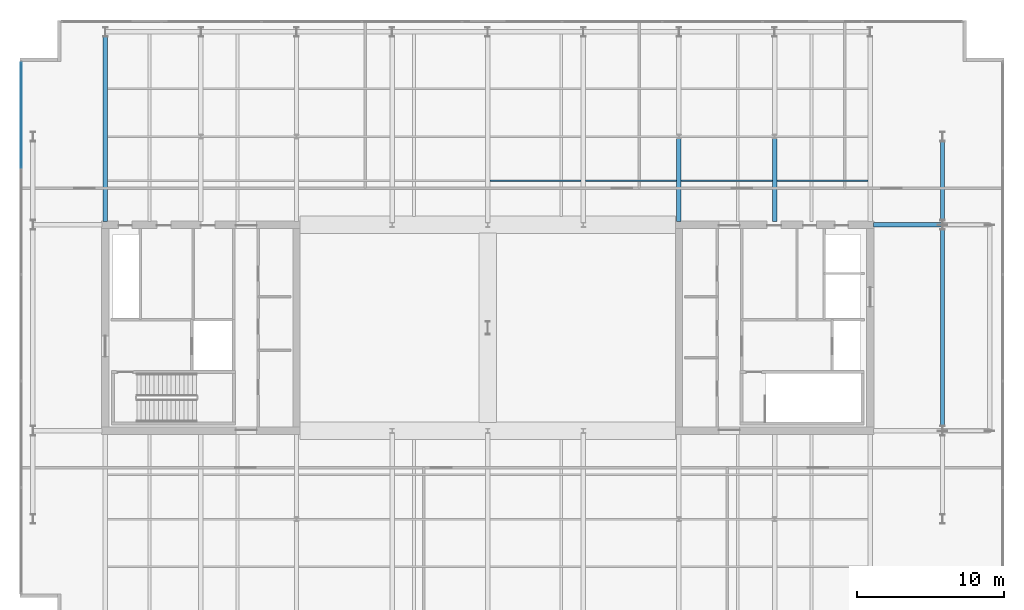
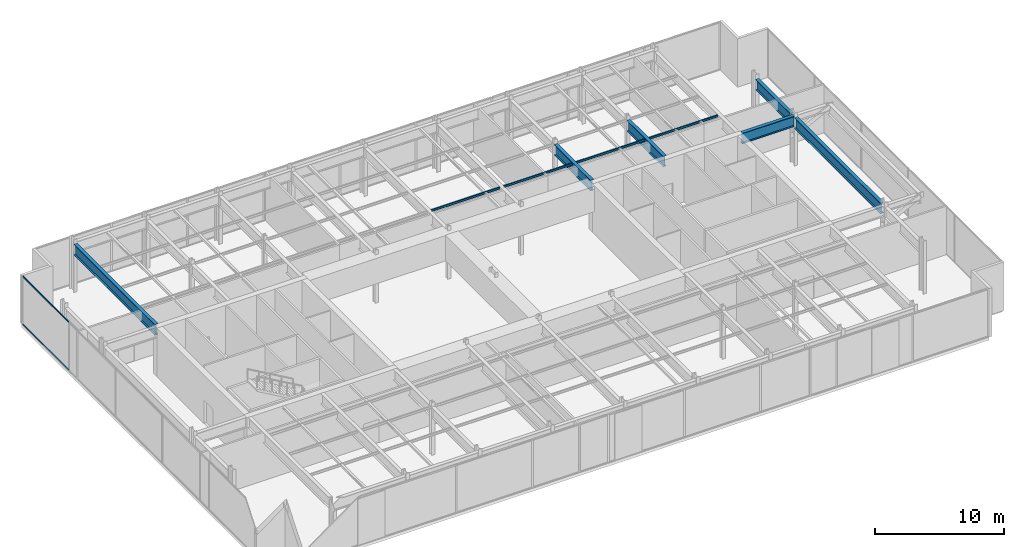
# One storey, part 10 of 21: 10 beams, 2 members, 1 element without a shape of its own.
"""IFC4 building model written with IfcOpenShell, lengths in metres."""

from ifc_helpers import new_model, si_unit, direction, frame, origin, origin_2d, place, context, subcontext, project, spatial, rectangle, i_section, extrude, material, layer, layer_set, material_profile, profile_set, type_object, element, aggregate, save


model = new_model("IFC4")

# Units and contexts
model_context = context("Model", 3, precision=1e-05, world=origin(), true_north=direction((0.0, 1.0)))
body_context = subcontext(model_context, "Body", "Model", "MODEL_VIEW")
ifc_project = project(units=[si_unit("LENGTHUNIT", "METRE"), si_unit("AREAUNIT", "SQUARE_METRE"), si_unit("VOLUMEUNIT", "CUBIC_METRE"), si_unit("PLANEANGLEUNIT", "RADIAN"), si_unit("MASSUNIT", "GRAM", prefix="KILO")], contexts=[model_context])

# Site, building, storey
site_placement = place(None, origin())
site = spatial("IfcSite", under=ifc_project, at=site_placement, CompositionType="ELEMENT")
building_placement = place(site_placement, origin())
building = spatial("IfcBuilding", under=site, at=building_placement, Name="Putna Gate Headquarters", CompositionType="ELEMENT")
storey_placement = place(building_placement, frame((0.0, 0.0, 315.39990234375)))
storey = spatial("IfcBuildingStorey", under=building, at=storey_placement, Name="L79", CompositionType="ELEMENT", Elevation=315.39990234375)

# Beams
ifc_material_1 = material(Name="Steel S355J2", Category="steel")
ifc_material_profile_1 = material_profile(ifc_material_1, i_section(OverallWidth=0.10009765625, OverallDepth=0.199951171875, WebThickness=0.005615234375, FlangeThickness=0.008544921875, at=origin_2d()), Name="Steel S355J2")
ifc_profile_set_1 = profile_set([ifc_material_profile_1], Name="Steel S355J2")
beam_type_1 = type_object("IfcBeamType", Name="BM-SEC-PLT-IPE200", PredefinedType="JOIST", material=ifc_profile_set_1)
for number, where, z_axis, x_axis, name in (
    (1, (39.155029296875, 36.0, 4.47998046875), (1.0, 0.0, 0.0), (0.0, 1.0, 0.0), "L79 North Secondary Beam 5"),
    (2, (45.655029296875, 36.0, 4.47998046875), (1.0, 0.0, 0.0), (0.0, 1.0, 0.0), "L79 North Secondary Beam 6"),
    (3, (52.155029296875, 36.0, 4.47998046875), (1.0, 0.0, 0.0), (0.0, 1.0, 0.0), "L79 North Secondary Beam 7"),
    (4, (58.655029296875, 36.0, 4.47998046875), (1.0, 0.0, 0.0), (0.0, 1.0, 0.0), "L79 North Secondary Beam 8"),
):
    element("IfcBeam", number, at=place(storey_placement, frame(where, z_axis=z_axis, x_axis=x_axis)), inside=storey, type_object=beam_type_1, Name=name, PredefinedType="JOIST", context=body_context, shape_type="SweptSolid", body=[
        extrude(i_section(OverallWidth=0.10009765625, OverallDepth=0.199951171875, WebThickness=0.005615234375, FlangeThickness=0.008544921875, at=origin_2d()), origin(), (0.0, 0.0, 1.0), 6.18994140625),
    ])
ifc_material_2 = material(Name="Steel S460M", Category="steel")
ifc_material_profile_2 = material_profile(ifc_material_2, i_section(OverallWidth=0.302001953125, OverallDepth=1.008056640625, WebThickness=0.02099609375, FlangeThickness=0.0400390625, at=origin_2d()), Name="Steel S460M")
ifc_profile_set_2 = profile_set([ifc_material_profile_2], Name="Steel S460M")
beam_type_2 = type_object("IfcBeamType", Name="BM-TG-HEM1000", PredefinedType="USERDEFINED", material=ifc_profile_set_2)
beam_1_placement = place(storey_placement, frame((65.235107421875, 33.0, 4.076171875), z_axis=(1.0, 0.0, 0.0), x_axis=(0.0, 1.0, 0.0)))
element("IfcBeam", 5, at=beam_1_placement, inside=storey, type_object=beam_type_2, Name="L79 East Wing Girder Y33", ObjectType="GIRDER", PredefinedType="USERDEFINED", context=body_context, shape_type="SweptSolid", body=[
    extrude(i_section(OverallWidth=0.302001953125, OverallDepth=1.008056640625, WebThickness=0.02099609375, FlangeThickness=0.0400390625, at=origin_2d()), origin(), (0.0, 0.0, 1.0), 4.678955078125),
])
beam_2_placement = place(storey_placement, frame((13.0, 33.235107421875, 4.076171875), z_axis=(0.0, 1.0, 0.0), x_axis=(-1.0, 0.0, 0.0)))
element("IfcBeam", 6, at=beam_2_placement, inside=storey, type_object=beam_type_2, Name="L79 North Primary Girder X13", ObjectType="GIRDER", PredefinedType="USERDEFINED", context=body_context, shape_type="SweptSolid", body=[
    extrude(i_section(OverallWidth=0.302001953125, OverallDepth=1.008056640625, WebThickness=0.02099609375, FlangeThickness=0.0400390625, at=origin_2d()), origin(), (0.0, 0.0, 1.0), 12.56298828125),
])
for number, where, z_axis, x_axis, name in (
    (7, (52.0, 33.235107421875, 4.076171875), (0.0, 1.0, 0.0), (-1.0, 0.0, 0.0), "L79 North Primary Girder X52-1"),
    (8, (58.5, 33.235107421875, 4.076171875), (0.0, 1.0, 0.0), (-1.0, 0.0, 0.0), "L79 North Primary Girder X58-1"),
):
    element("IfcBeam", number, at=place(storey_placement, frame(where, z_axis=z_axis, x_axis=x_axis)), inside=storey, type_object=beam_type_2, Name=name, ObjectType="GIRDER", PredefinedType="USERDEFINED", context=body_context, shape_type="SweptSolid", body=[
        extrude(i_section(OverallWidth=0.302001953125, OverallDepth=1.008056640625, WebThickness=0.02099609375, FlangeThickness=0.0400390625, at=origin_2d()), origin(), (0.0, 0.0, 1.0), 5.626953125),
    ])
ifc_material_profile_3 = material_profile(ifc_material_2, i_section(OverallWidth=0.302001953125, OverallDepth=1.008056640625, WebThickness=0.02099609375, FlangeThickness=0.0400390625, at=origin_2d()), Name="Steel S460M")
ifc_profile_set_3 = profile_set([ifc_material_profile_3], Name="Steel S460M")
beam_type_3 = type_object("IfcBeamType", Name="BM-TG-HEM1000-EXT", PredefinedType="USERDEFINED", material=ifc_profile_set_3)
beam_3_placement = place(storey_placement, frame((69.919921875, 19.322021484375, 4.076171875), z_axis=(0.0, 1.0, 0.0), x_axis=(-1.0, 0.0, 0.0)))
element("IfcBeam", 9, at=beam_3_placement, inside=storey, type_object=beam_type_3, Name="L79 E End Spandrel 2", ObjectType="GIRDER", PredefinedType="USERDEFINED", context=body_context, shape_type="SweptSolid", body=[
    extrude(i_section(OverallWidth=0.302001953125, OverallDepth=1.008056640625, WebThickness=0.02099609375, FlangeThickness=0.0400390625, at=origin_2d()), origin(), (0.0, 0.0, 1.0), 13.35595703125),
])
beam_4_placement = place(storey_placement, frame((69.919921875, 33.322021484375, 4.076171875), z_axis=(0.0, 1.0, 0.0), x_axis=(-1.0, 0.0, 0.0)))
element("IfcBeam", 10, at=beam_4_placement, inside=storey, type_object=beam_type_3, Name="L79 E End Spandrel 3", ObjectType="GIRDER", PredefinedType="USERDEFINED", context=body_context, shape_type="SweptSolid", body=[
    extrude(i_section(OverallWidth=0.302001953125, OverallDepth=1.008056640625, WebThickness=0.02099609375, FlangeThickness=0.0400390625, at=origin_2d()), origin(), (0.0, 0.0, 1.0), 5.35595703125),
])

# Curtain wall, members
ifc_material_3 = material(Name="Anodised bronze aluminium curtain wall", Category="aluminium")
ifc_layer = layer(ifc_material_3, 0.159912109375)
ifc_layer_set = layer_set([ifc_layer], Name="Anodised bronze aluminium curtain wall")
curtain_wall_type = type_object("IfcCurtainWallType", Name="CW-SYS-CRN", PredefinedType="USERDEFINED", material=ifc_layer_set)
curtain_wall_placement = place(storey_placement, origin())
curtain_wall = element("IfcCurtainWall", 11, at=curtain_wall_placement, inside=storey, type_object=curtain_wall_type, Name="L79 Acoustic Louvre West Enclosure", ObjectType="STICK CURTAIN WALL", PredefinedType="USERDEFINED")
ifc_material_4 = material(Name="Anodised bronze aluminium EN AW-6060", Category="aluminium")
ifc_material_profile_4 = material_profile(ifc_material_4, rectangle(XDim=0.06494140625, YDim=0.1201171875, at=origin_2d()), Name="Anodised bronze aluminium EN AW-6060")
ifc_profile_set_4 = profile_set([ifc_material_profile_4], Name="Anodised bronze aluminium EN AW-6060")
member_type = type_object("IfcMemberType", Name="TRAN-CWT-CR", PredefinedType="USERDEFINED", material=ifc_profile_set_4)
member_1_placement = place(storey_placement, frame((7.280029296875, 36.892578125, 0.03271484375), z_axis=(0.0, 1.0, 0.0), x_axis=(-1.0, 0.0, 0.0)))
member_1 = element("IfcMember", 12, at=member_1_placement, type_object=member_type, Name="CWS-CR transom 5.1", ObjectType="TRANSOM", PredefinedType="USERDEFINED", context=body_context, shape_type="SweptSolid", body=[
    extrude(rectangle(XDim=0.06494140625, YDim=0.1201171875, at=origin_2d()), origin(), (0.0, 0.0, 1.0), 7.142333984375),
])
member_2_placement = place(storey_placement, frame((7.280029296875, 36.892578125, 4.547607421875), z_axis=(0.0, 1.0, 0.0), x_axis=(-1.0, 0.0, 0.0)))
member_2 = element("IfcMember", 13, at=member_2_placement, type_object=member_type, Name="CWS-CR transom 5.2", ObjectType="TRANSOM", PredefinedType="USERDEFINED", context=body_context, shape_type="SweptSolid", body=[
    extrude(rectangle(XDim=0.06494140625, YDim=0.1201171875, at=origin_2d()), origin(), (0.0, 0.0, 1.0), 7.142333984375),
])
aggregate(curtain_wall, [member_1, member_2])

save(model, "model.ifc")
